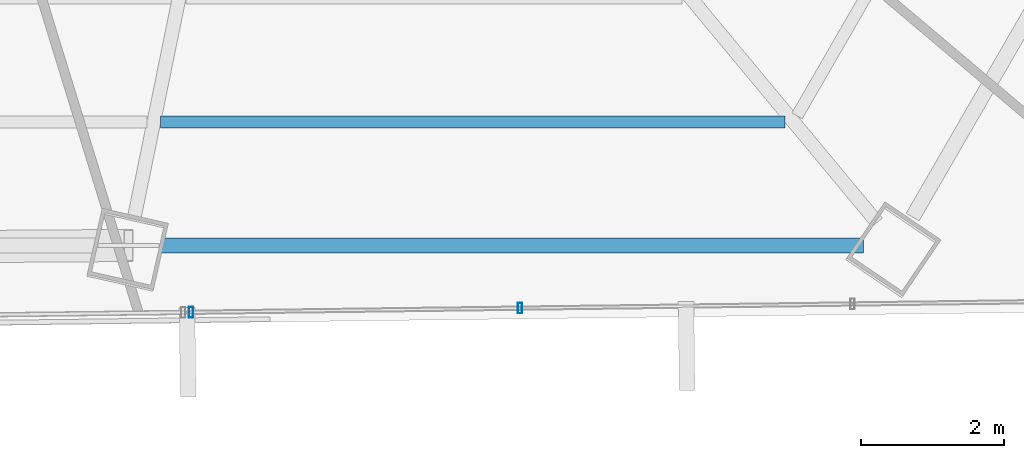
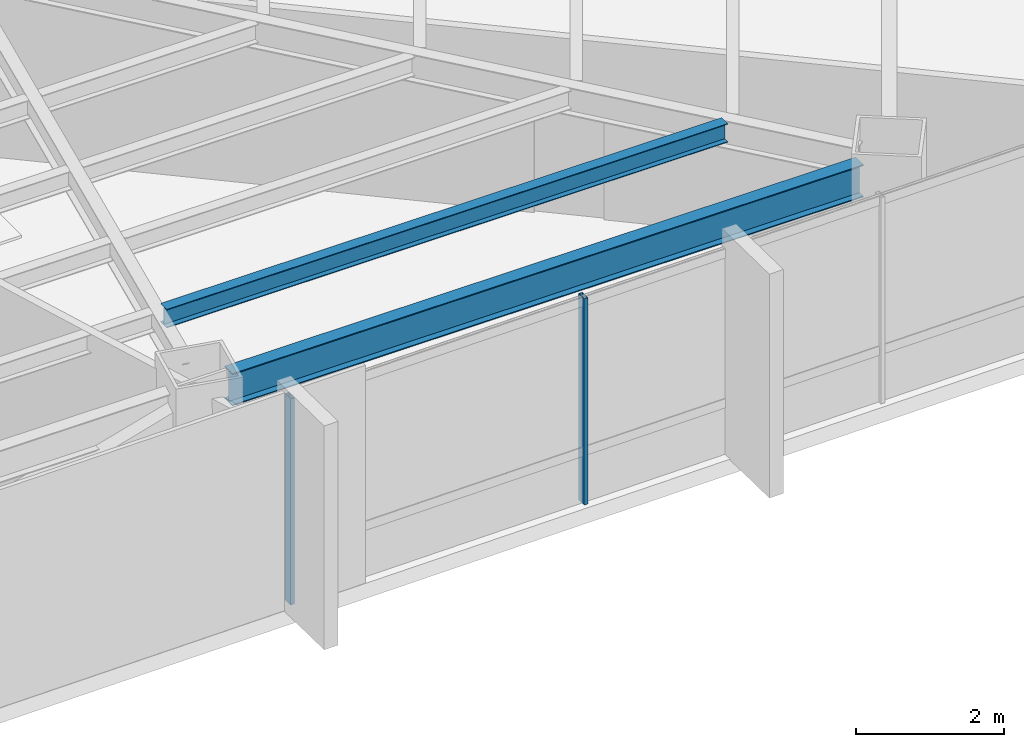
# One storey, part 17 of 41: 2 beams, 2 members, 1 element without a shape of its own.
"""IFC4 building model written with IfcOpenShell, lengths in metres."""

from ifc_helpers import new_model, si_unit, direction, frame, origin, origin_2d, place, context, subcontext, project, spatial, hollow_rectangle, i_section, extrude, source, transform, mapped, material, material_profile, profile_set, type_object, type_shapes, element, aggregate, save


model = new_model("IFC4")

# Units and contexts
model_context = context("Model", 3, precision=1e-05, world=origin(), true_north=direction((0.0, 1.0)))
body_context = subcontext(model_context, "Body", "Model", "MODEL_VIEW")
ifc_project = project(units=[si_unit("LENGTHUNIT", "METRE"), si_unit("AREAUNIT", "SQUARE_METRE"), si_unit("VOLUMEUNIT", "CUBIC_METRE"), si_unit("PLANEANGLEUNIT", "RADIAN"), si_unit("MASSUNIT", "GRAM", prefix="KILO")], contexts=[model_context])

# Site, building, storey
site_placement = place(None, origin())
site = spatial("IfcSite", under=ifc_project, at=site_placement, CompositionType="ELEMENT")
building_placement = place(site_placement, origin())
building = spatial("IfcBuilding", under=site, at=building_placement, Name="Caelisora Broadcast Tower", CompositionType="ELEMENT")
storey_placement = place(building_placement, frame((0.0, 0.0, 135.449951171875)))
storey = spatial("IfcBuildingStorey", under=building, at=storey_placement, Name="L35", CompositionType="ELEMENT", Elevation=135.449951171875)

# Beams
ifc_material_1 = material(Name="Steel Grade 350 (AS/NZS 3679.1)", Category="steel")
ifc_material_profile_1 = material_profile(ifc_material_1, i_section(OverallWidth=0.208984375, OverallDepth=0.532958984375, WebThickness=0.01025390625, FlangeThickness=0.015625, at=origin_2d()), Name="Steel Grade 350 (AS/NZS 3679.1)")
ifc_profile_set_1 = profile_set([ifc_material_profile_1], Name="Steel Grade 350 (AS/NZS 3679.1)")
beam_type_1 = type_object("IfcBeamType", Name="PG05", PredefinedType="BEAM", material=ifc_profile_set_1)
shared_shape_1 = source(origin(), body_context, "Body", "SweptSolid", [
    extrude(i_section(OverallWidth=0.208984375, OverallDepth=0.532958984375, WebThickness=0.01025390625, FlangeThickness=0.015625, at=origin_2d()), origin(), (0.0, 0.0, 1.0), 9.836181640625),
])
type_shapes(beam_type_1, [shared_shape_1])
beam_1_placement = place(storey_placement, frame((43.837890625, 7.008544921875, 3.133544921875), z_axis=(1.0, 0.0, 0.0), x_axis=(0.0, 1.0, 0.0)))
element("IfcBeam", 1, at=beam_1_placement, inside=storey, type_object=beam_type_1, Name="L35 beam PG05", PredefinedType="BEAM", context=body_context, shape_type="MappedRepresentation", body=[
    mapped(shared_shape_1, transform((0.0, 0.0, 0.0), scale=1.0)),
])
ifc_material_profile_2 = material_profile(ifc_material_1, i_section(OverallWidth=0.166015625, OverallDepth=0.30712890625, WebThickness=0.006591796875, FlangeThickness=0.01171875, at=origin_2d()), Name="Steel Grade 350 (AS/NZS 3679.1)")
ifc_profile_set_2 = profile_set([ifc_material_profile_2], Name="Steel Grade 350 (AS/NZS 3679.1)")
beam_type_2 = type_object("IfcBeamType", Name="SB03", PredefinedType="JOIST", material=ifc_profile_set_2)
shared_shape_2 = source(origin(), body_context, "Body", "SweptSolid", [
    extrude(i_section(OverallWidth=0.166015625, OverallDepth=0.30712890625, WebThickness=0.006591796875, FlangeThickness=0.01171875, at=origin_2d()), origin(), (0.0, 0.0, 1.0), 8.74755859375),
])
type_shapes(beam_type_2, [shared_shape_2])
beam_2_placement = place(storey_placement, frame((43.826171875, 8.740478515625, 3.246337890625), z_axis=(1.0, 0.0, 0.0), x_axis=(0.0, 1.0, 0.0)))
element("IfcBeam", 2, at=beam_2_placement, inside=storey, type_object=beam_type_2, Name="L35 beam SB03", PredefinedType="JOIST", context=body_context, shape_type="MappedRepresentation", body=[
    mapped(shared_shape_2, transform((0.0, 0.0, 0.0), scale=1.0)),
])

# Curtain wall, members
ifc_material_2 = material(Name="Unitised Aluminium and Low-E Glass Curtain Wall", Category="glass")
curtain_wall_type = type_object("IfcCurtainWallType", Name="CW-Z3", PredefinedType="NOTDEFINED", material=ifc_material_2)
curtain_wall_placement = place(storey_placement, origin())
curtain_wall = element("IfcCurtainWall", 3, at=curtain_wall_placement, inside=storey, type_object=curtain_wall_type, Name="L35 curtain wall CW-Z3", PredefinedType="NOTDEFINED")
ifc_material_3 = material(Name="Aluminium 6063-T6 Anodised Terracotta Bronze", Category="aluminium")
ifc_material_profile_3 = material_profile(ifc_material_3, hollow_rectangle(XDim=0.06005859375, YDim=0.14990234375, WallThickness=0.00341796875, at=origin_2d()), Name="Aluminium 6063-T6 Anodised Terracotta Bronze")
ifc_profile_set_3 = profile_set([ifc_material_profile_3], Name="Aluminium 6063-T6 Anodised Terracotta Bronze")
member_type = type_object("IfcMemberType", Name="CWM-03", PredefinedType="MULLION", material=ifc_profile_set_3)
shared_shape_3 = source(origin(), body_context, "Body", "SweptSolid", [
    extrude(hollow_rectangle(XDim=0.06005859375, YDim=0.14990234375, WallThickness=0.00341796875, at=origin_2d()), origin(), (0.0, 0.0, 1.0), 3.400146484375),
])
type_shapes(member_type, [shared_shape_3])
member_1_placement = place(storey_placement, frame((48.86181640625, 6.130615234375, 0.0), z_axis=(0.0, 0.0, 1.0), x_axis=(1.0, 0.0, 0.0)))
member_1 = element("IfcMember", 4, at=member_1_placement, type_object=member_type, Name="L35-CW-B05 mullion #2", PredefinedType="MULLION", context=body_context, shape_type="MappedRepresentation", body=[
    mapped(shared_shape_3, transform((0.0, 0.0, 0.0), scale=1.0)),
])
member_2_placement = place(storey_placement, frame((44.252685546875, 6.072509765625, 0.0), z_axis=(0.0, 0.0, 1.0), x_axis=(1.0, 0.0, 0.0)))
member_2 = element("IfcMember", 5, at=member_2_placement, type_object=member_type, Name="L35-CW-B05 mullion #3", PredefinedType="MULLION", context=body_context, shape_type="MappedRepresentation", body=[
    mapped(shared_shape_3, transform((0.0, 0.0, 0.0), scale=1.0)),
])
aggregate(curtain_wall, [member_1, member_2])

save(model, "model.ifc")
